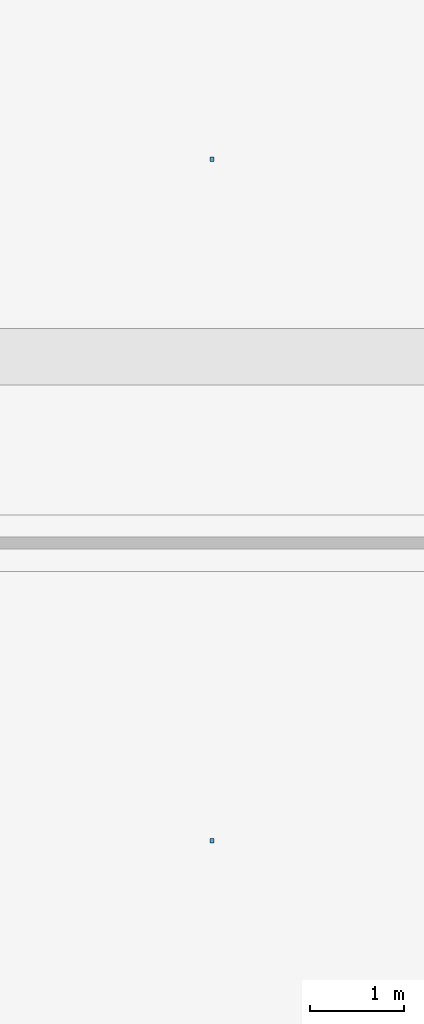
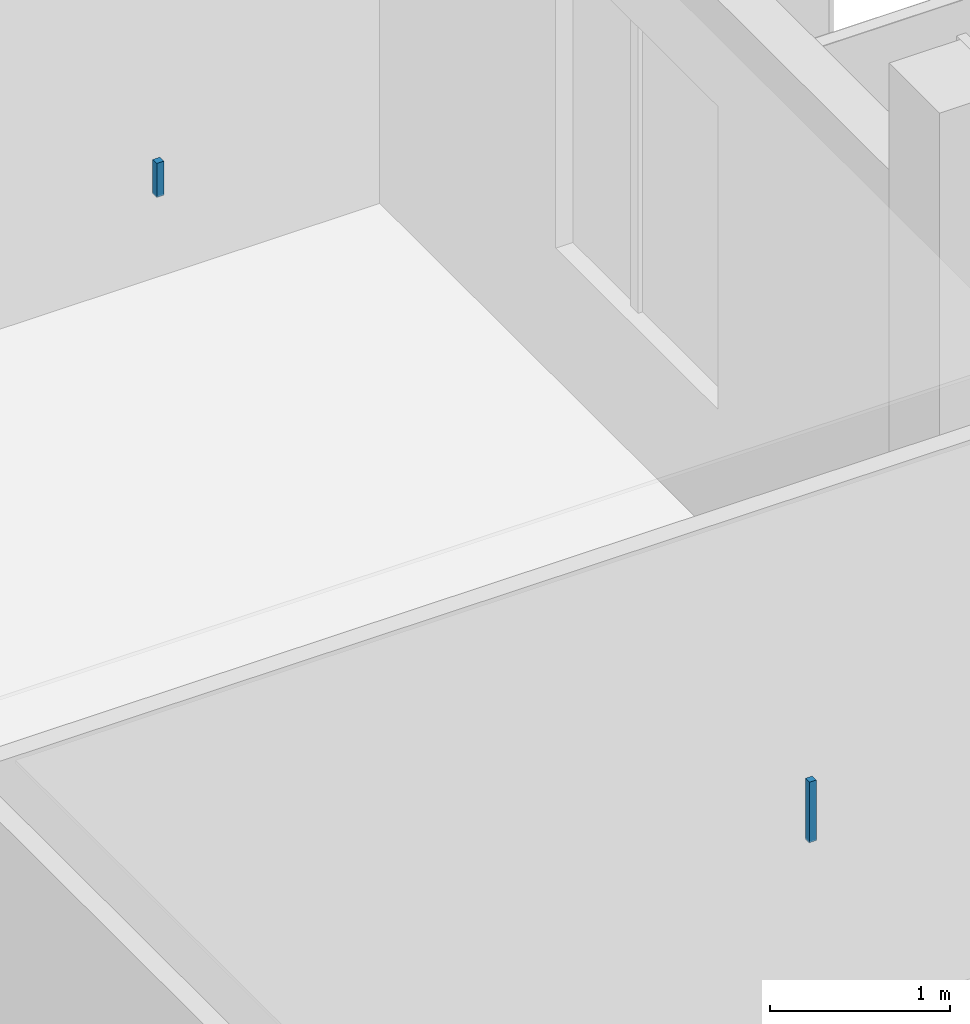
# One storey, part 78 of 95: 2 discrete accessories.
"""IFC4 building model written with IfcOpenShell, lengths in metres."""

from ifc_helpers import new_model, si_unit, derived_unit, direction, frame, origin, origin_2d, place, context, subcontext, project, spatial, rectangle, extrude, material, type_object, element, save


model = new_model("IFC4")

# Units and contexts
model_context = context("Model", 3, precision=1e-05, world=origin(), true_north=direction((0.0, 1.0)))
body_context = subcontext(model_context, "Body", "Model", "MODEL_VIEW")
ifc_project = project(units=[si_unit("LENGTHUNIT", "METRE"), si_unit("AREAUNIT", "SQUARE_METRE"), si_unit("VOLUMEUNIT", "CUBIC_METRE"), si_unit("PLANEANGLEUNIT", "RADIAN"), si_unit("MASSUNIT", "GRAM", prefix="KILO"), derived_unit("THERMALTRANSMITTANCEUNIT", [(si_unit("POWERUNIT", "WATT"), 1), (si_unit("LENGTHUNIT", "METRE"), -2), (si_unit("THERMODYNAMICTEMPERATUREUNIT", "KELVIN"), -1)])], contexts=[model_context])

# Site, building, storey
site_placement = place(None, origin())
site = spatial("IfcSite", under=ifc_project, at=site_placement, CompositionType="ELEMENT")
building_placement = place(site_placement, origin())
building = spatial("IfcBuilding", under=site, at=building_placement, Name="Braskholm Square Health Centre", CompositionType="ELEMENT")
storey_placement = place(building_placement, frame((0.0, 0.0, 4.800048828125)))
storey = spatial("IfcBuildingStorey", under=building, at=storey_placement, Name="L02", CompositionType="ELEMENT", Elevation=4.800048828125)

# Discrete accessories
ifc_material = material(Name="Steel ASTM A500 Grade C", Category="steel")
discrete_accessory_type = type_object("IfcDiscreteAccessoryType", Name="CeilingSuspensionBracket", PredefinedType="BRACKET", material=ifc_material)
discrete_accessory_1_placement = place(storey_placement, frame((159.93994140625, 67.06005859375, 3.8017578125), z_axis=(0.0, 0.0, 1.0), x_axis=(1.0, 0.0, 0.0)))
element("IfcDiscreteAccessory", 1, at=discrete_accessory_1_placement, inside=storey, type_object=discrete_accessory_type, Name="Ceiling hanger bracket 0137", PredefinedType="BRACKET", context=body_context, shape_type="SweptSolid", body=[
    extrude(rectangle(XDim=0.044921875, YDim=0.044921875, at=origin_2d()), origin(), (0.0, 0.0, 1.0), 0.409912109375),
])
discrete_accessory_2_placement = place(storey_placement, frame((159.93994140625, 74.294921875, 3.781982421875), z_axis=(0.0, 0.0, 1.0), x_axis=(1.0, 0.0, 0.0)))
element("IfcDiscreteAccessory", 2, at=discrete_accessory_2_placement, inside=storey, type_object=discrete_accessory_type, Name="Ceiling hanger bracket 0138", PredefinedType="BRACKET", context=body_context, shape_type="SweptSolid", body=[
    extrude(rectangle(XDim=0.044921875, YDim=0.044921875, at=origin_2d()), origin(), (0.0, 0.0, 1.0), 0.22998046875),
])

save(model, "model.ifc")
